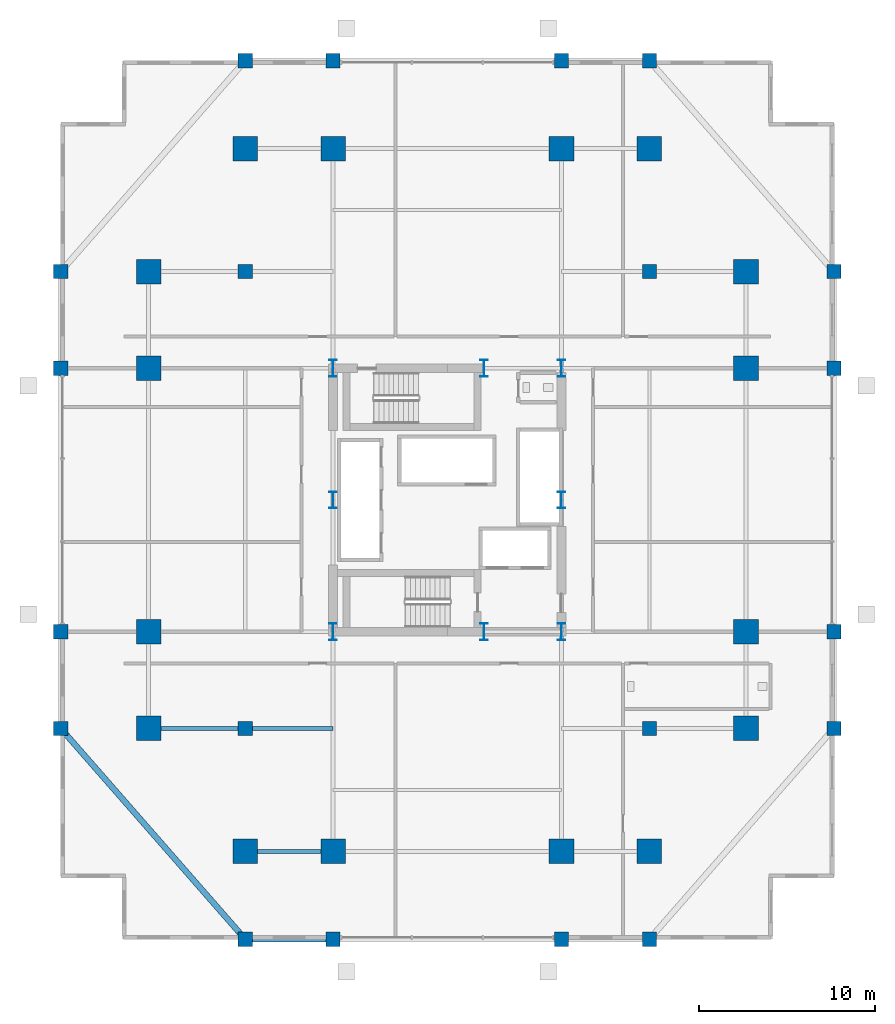
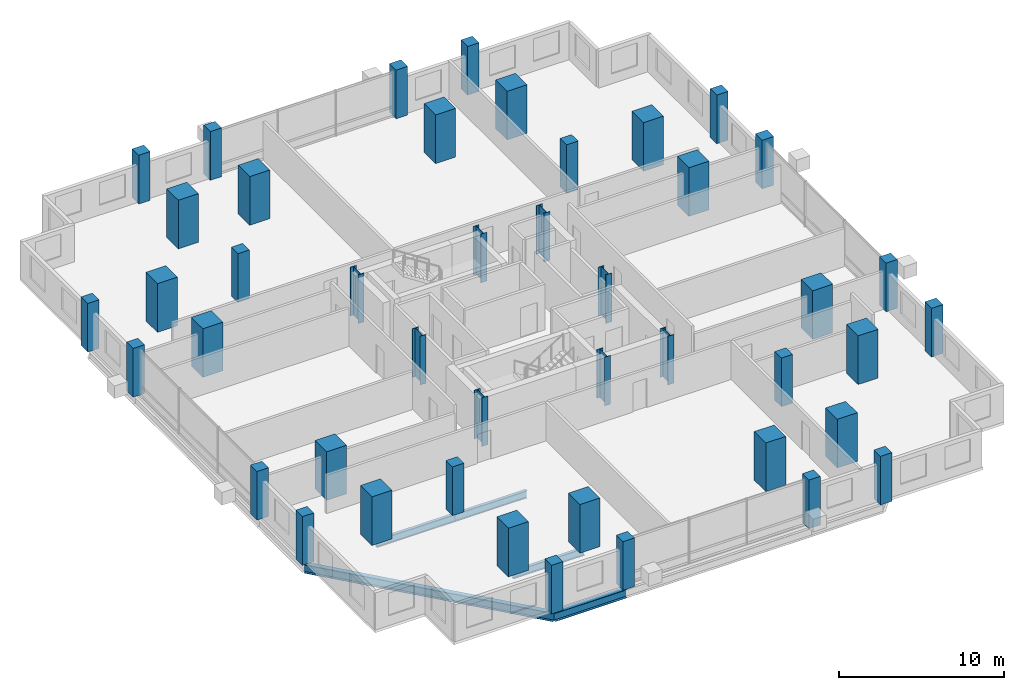
# One storey, part 1 of 21: 44 columns, 5 beams.
"""IFC4 building model written with IfcOpenShell, lengths in metres."""

from ifc_helpers import new_model, si_unit, direction, frame, origin, origin_2d, place, context, subcontext, project, spatial, rectangle, i_section, extrude, material, material_profile, profile_set, type_object, element, save


model = new_model("IFC4")

# Units and contexts
model_context = context("Model", 3, precision=1e-05, world=origin(), true_north=direction((0.0, 1.0)))
body_context = subcontext(model_context, "Body", "Model", "MODEL_VIEW")
ifc_project = project(units=[si_unit("LENGTHUNIT", "METRE"), si_unit("AREAUNIT", "SQUARE_METRE"), si_unit("VOLUMEUNIT", "CUBIC_METRE"), si_unit("PLANEANGLEUNIT", "RADIAN"), si_unit("MASSUNIT", "GRAM", prefix="KILO")], contexts=[model_context])

# Site, building, storey
site_placement = place(None, origin())
site = spatial("IfcSite", under=ifc_project, at=site_placement, CompositionType="ELEMENT")
building_placement = place(site_placement, origin())
building = spatial("IfcBuilding", under=site, at=building_placement, Name="Barlavira Tower and Art Museum", CompositionType="ELEMENT")
storey_placement = place(building_placement, frame((0.0, 0.0, 86.39990234375)))
storey = spatial("IfcBuildingStorey", under=building, at=storey_placement, Name="L21", CompositionType="ELEMENT", Elevation=86.39990234375)

# Columns
ifc_material_1 = material(Name="Steel S355", Category="steel")
ifc_material_profile_1 = material_profile(ifc_material_1, i_section(OverallWidth=0.419921875, OverallDepth=0.9599609375, WebThickness=0.02197265625, FlangeThickness=0.033935546875, at=origin_2d()), Name="W920x387.0")
ifc_profile_set_1 = profile_set([ifc_material_profile_1], Name="Steel S355")
column_type_1 = type_object("IfcColumnType", Name="Core Composite Column W920x387 Steel S355", PredefinedType="COLUMN", material=ifc_profile_set_1)
for number, where, z_axis, x_axis, name in (
    (1, (-6.5, -7.5, 0.0), (0.0, 0.0, 1.0), (1.0, 0.0, 0.0), "L21 Column CC-L21-C1"),
    (2, (2.080078125, -7.5, 0.0), (0.0, 0.0, 1.0), (1.0, 0.0, 0.0), "L21 Column CC-L21-C2"),
    (3, (6.5, -7.5, 0.0), (0.0, 0.0, 1.0), (1.0, 0.0, 0.0), "L21 Column CC-L21-C3"),
    (4, (-6.5, 0.0, 0.0), (0.0, 0.0, 1.0), (1.0, 0.0, 0.0), "L21 Column CC-L21-C4"),
    (5, (6.5, 0.0, 0.0), (0.0, 0.0, 1.0), (1.0, 0.0, 0.0), "L21 Column CC-L21-C5"),
    (6, (-6.5, 7.5, 0.0), (0.0, 0.0, 1.0), (1.0, 0.0, 0.0), "L21 Column CC-L21-C6"),
    (7, (2.080078125, 7.5, 0.0), (0.0, 0.0, 1.0), (1.0, 0.0, 0.0), "L21 Column CC-L21-C7"),
    (8, (6.5, 7.5, 0.0), (0.0, 0.0, 1.0), (1.0, 0.0, 0.0), "L21 Column CC-L21-C8"),
):
    element("IfcColumn", number, at=place(storey_placement, frame(where, z_axis=z_axis, x_axis=x_axis)), inside=storey, type_object=column_type_1, Name=name, PredefinedType="COLUMN", context=body_context, shape_type="SweptSolid", body=[
        extrude(i_section(OverallWidth=0.419921875, OverallDepth=0.9599609375, WebThickness=0.02197265625, FlangeThickness=0.033935546875, at=origin_2d()), origin(), (0.0, 0.0, 1.0), 3.60009765625),
    ])
ifc_material_2 = material(Name="Concrete C60", Category="concrete")
ifc_material_profile_2 = material_profile(ifc_material_2, rectangle(XDim=1.39990234375, YDim=1.39990234375, at=origin_2d()), Name="RC-MCOL 1400x1400")
ifc_profile_set_2 = profile_set([ifc_material_profile_2], Name="Concrete C60")
column_type_2 = type_object("IfcColumnType", Name="Perimeter Mega Column 1400x1400 Concrete C60", PredefinedType="USERDEFINED", material=ifc_profile_set_2)
for number, where, z_axis, x_axis, name in (
    (9, (-11.5, -20.0, 0.0), (0.0, 0.0, 1.0), (1.0, 0.0, 0.0), "L21 Column MC-L21-M01"),
    (10, (-6.5, -20.0, 0.0), (0.0, 0.0, 1.0), (1.0, 0.0, 0.0), "L21 Column MC-L21-M02"),
    (11, (6.5, -20.0, 0.0), (0.0, 0.0, 1.0), (1.0, 0.0, 0.0), "L21 Column MC-L21-M03"),
    (12, (11.5, -20.0, 0.0), (0.0, 0.0, 1.0), (1.0, 0.0, 0.0), "L21 Column MC-L21-M04"),
    (13, (17.0, -13.0, 0.0), (0.0, 0.0, 1.0), (1.0, 0.0, 0.0), "L21 Column MC-L21-M05"),
    (14, (17.0, -7.5, 0.0), (0.0, 0.0, 1.0), (1.0, 0.0, 0.0), "L21 Column MC-L21-M06"),
    (15, (17.0, 7.5, 0.0), (0.0, 0.0, 1.0), (1.0, 0.0, 0.0), "L21 Column MC-L21-M07"),
    (16, (17.0, 13.0, 0.0), (0.0, 0.0, 1.0), (1.0, 0.0, 0.0), "L21 Column MC-L21-M08"),
    (17, (11.5, 20.0, 0.0), (0.0, 0.0, 1.0), (1.0, 0.0, 0.0), "L21 Column MC-L21-M09"),
    (18, (6.5, 20.0, 0.0), (0.0, 0.0, 1.0), (1.0, 0.0, 0.0), "L21 Column MC-L21-M10"),
    (19, (-6.5, 20.0, 0.0), (0.0, 0.0, 1.0), (1.0, 0.0, 0.0), "L21 Column MC-L21-M11"),
    (20, (-11.5, 20.0, 0.0), (0.0, 0.0, 1.0), (1.0, 0.0, 0.0), "L21 Column MC-L21-M12"),
    (21, (-17.0, 13.0, 0.0), (0.0, 0.0, 1.0), (1.0, 0.0, 0.0), "L21 Column MC-L21-M13"),
    (22, (-17.0, 7.5, 0.0), (0.0, 0.0, 1.0), (1.0, 0.0, 0.0), "L21 Column MC-L21-M14"),
    (23, (-17.0, -7.5, 0.0), (0.0, 0.0, 1.0), (1.0, 0.0, 0.0), "L21 Column MC-L21-M15"),
    (24, (-17.0, -13.0, 0.0), (0.0, 0.0, 1.0), (1.0, 0.0, 0.0), "L21 Column MC-L21-M16"),
):
    element("IfcColumn", number, at=place(storey_placement, frame(where, z_axis=z_axis, x_axis=x_axis)), inside=storey, type_object=column_type_2, Name=name, ObjectType="MEGA COLUMN", PredefinedType="USERDEFINED", context=body_context, shape_type="SweptSolid", body=[
        extrude(rectangle(XDim=1.39990234375, YDim=1.39990234375, at=origin_2d()), origin(), (0.0, 0.0, 1.0), 3.60009765625),
    ])
ifc_material_3 = material(Name="Concrete C50", Category="concrete")
ifc_material_profile_3 = material_profile(ifc_material_3, rectangle(XDim=0.800048828125, YDim=0.800048828125, at=origin_2d()), Name="RC-COL 800x800")
ifc_profile_set_3 = profile_set([ifc_material_profile_3], Name="Concrete C50")
column_type_3 = type_object("IfcColumnType", Name="Podium Frame Column 800x800 Concrete C50", PredefinedType="COLUMN", material=ifc_profile_set_3)
for number, where, z_axis, x_axis, name in (
    (25, (-11.5, -13.0, 0.0), (0.0, 0.0, 1.0), (1.0, 0.0, 0.0), "L21 Column CI-L21-I1"),
    (26, (11.5, -13.0, 0.0), (0.0, 0.0, 1.0), (1.0, 0.0, 0.0), "L21 Column CI-L21-I2"),
    (27, (-11.5, 13.0, 0.0), (0.0, 0.0, 1.0), (1.0, 0.0, 0.0), "L21 Column CI-L21-I3"),
    (28, (11.5, 13.0, 0.0), (0.0, 0.0, 1.0), (1.0, 0.0, 0.0), "L21 Column CI-L21-I4"),
    (29, (-11.5, -25.0, 0.0), (0.0, 0.0, 1.0), (1.0, 0.0, 0.0), "L21 Column CZ1-L21-N01"),
    (30, (-6.5, -25.0, 0.0), (0.0, 0.0, 1.0), (1.0, 0.0, 0.0), "L21 Column CZ1-L21-N02"),
    (31, (6.5, -25.0, 0.0), (0.0, 0.0, 1.0), (1.0, 0.0, 0.0), "L21 Column CZ1-L21-N02B"),
    (32, (11.5, -25.0, 0.0), (0.0, 0.0, 1.0), (1.0, 0.0, 0.0), "L21 Column CZ1-L21-N03"),
    (33, (-22.0, -13.0, 0.0), (0.0, 0.0, 1.0), (1.0, 0.0, 0.0), "L21 Column CZ1-L21-N04"),
    (34, (-22.0, -7.5, 0.0), (0.0, 0.0, 1.0), (1.0, 0.0, 0.0), "L21 Column CZ1-L21-N05"),
    (35, (-22.0, 7.5, 0.0), (0.0, 0.0, 1.0), (1.0, 0.0, 0.0), "L21 Column CZ1-L21-N05B"),
    (36, (-22.0, 13.0, 0.0), (0.0, 0.0, 1.0), (1.0, 0.0, 0.0), "L21 Column CZ1-L21-N06"),
    (37, (-11.5, 25.0, 0.0), (0.0, 0.0, 1.0), (1.0, 0.0, 0.0), "L21 Column CZ1-L21-N07"),
    (38, (-6.5, 25.0, 0.0), (0.0, 0.0, 1.0), (1.0, 0.0, 0.0), "L21 Column CZ1-L21-N08"),
    (39, (6.5, 25.0, 0.0), (0.0, 0.0, 1.0), (1.0, 0.0, 0.0), "L21 Column CZ1-L21-N08B"),
    (40, (11.5, 25.0, 0.0), (0.0, 0.0, 1.0), (1.0, 0.0, 0.0), "L21 Column CZ1-L21-N09"),
    (41, (22.0, -13.0, 0.0), (0.0, 0.0, 1.0), (1.0, 0.0, 0.0), "L21 Column CZ1-L21-N10"),
    (42, (22.0, -7.5, 0.0), (0.0, 0.0, 1.0), (1.0, 0.0, 0.0), "L21 Column CZ1-L21-N11"),
    (43, (22.0, 7.5, 0.0), (0.0, 0.0, 1.0), (1.0, 0.0, 0.0), "L21 Column CZ1-L21-N11B"),
    (44, (22.0, 13.0, 0.0), (0.0, 0.0, 1.0), (1.0, 0.0, 0.0), "L21 Column CZ1-L21-N12"),
):
    element("IfcColumn", number, at=place(storey_placement, frame(where, z_axis=z_axis, x_axis=x_axis)), inside=storey, type_object=column_type_3, Name=name, PredefinedType="COLUMN", context=body_context, shape_type="SweptSolid", body=[
        extrude(rectangle(XDim=0.800048828125, YDim=0.800048828125, at=origin_2d()), origin(), (0.0, 0.0, 1.0), 3.60009765625),
    ])

# Beams
ifc_material_profile_4 = material_profile(ifc_material_1, i_section(OverallWidth=0.327880859375, OverallDepth=0.62890625, WebThickness=0.013916015625, FlangeThickness=0.021484375, at=origin_2d()), Name="W610x174.0")
ifc_profile_set_4 = profile_set([ifc_material_profile_4], Name="Steel S355")
beam_type_1 = type_object("IfcBeamType", Name="Perimeter Spandrel Edge Beam W610x174 Steel S355", PredefinedType="SPANDREL", material=ifc_profile_set_4)
beam_1_placement = place(storey_placement, frame((-11.5, -25.0, -0.534423828125), z_axis=(1.0, 0.0, 0.0), x_axis=(0.0, 1.0, 0.0)))
element("IfcBeam", 45, at=beam_1_placement, inside=storey, type_object=beam_type_1, Name="L21 Spandrel 1", PredefinedType="SPANDREL", context=body_context, shape_type="SweptSolid", body=[
    extrude(i_section(OverallWidth=0.327880859375, OverallDepth=0.62890625, WebThickness=0.013916015625, FlangeThickness=0.021484375, at=origin_2d()), origin(), (0.0, 0.0, 1.0), 5.0),
])
beam_2_placement = place(storey_placement, frame((-22.0, -13.0, -0.534423828125), z_axis=(0.658504607869, -0.752576694707, 0.0), x_axis=(0.752576694707, 0.658504607869, 0.0)))
element("IfcBeam", 46, at=beam_2_placement, inside=storey, type_object=beam_type_1, Name="L21 Spandrel 16", PredefinedType="SPANDREL", context=body_context, shape_type="SweptSolid", body=[
    extrude(i_section(OverallWidth=0.327880859375, OverallDepth=0.62890625, WebThickness=0.013916015625, FlangeThickness=0.021484375, at=origin_2d()), origin(), (0.0, 0.0, 1.0), 15.9453125),
])
ifc_material_profile_5 = material_profile(ifc_material_1, i_section(OverallWidth=0.214111328125, OverallDepth=0.549072265625, WebThickness=0.0146484375, FlangeThickness=0.023681640625, at=origin_2d()), Name="W530x138.0")
ifc_profile_set_5 = profile_set([ifc_material_profile_5], Name="Steel S355")
beam_type_2 = type_object("IfcBeamType", Name="Zone 1 Primary Floor Girder W530x138 Steel S355", PredefinedType="BEAM", material=ifc_profile_set_5)
beam_3_placement = place(storey_placement, frame((-11.5, -20.0, -0.494384765625), z_axis=(1.0, 0.0, 0.0), x_axis=(0.0, 1.0, 0.0)))
element("IfcBeam", 47, at=beam_3_placement, inside=storey, type_object=beam_type_2, Name="L21 Girder M-S1", PredefinedType="BEAM", context=body_context, shape_type="SweptSolid", body=[
    extrude(i_section(OverallWidth=0.214111328125, OverallDepth=0.549072265625, WebThickness=0.0146484375, FlangeThickness=0.023681640625, at=origin_2d()), origin(), (0.0, 0.0, 1.0), 5.0),
])
beam_4_placement = place(storey_placement, frame((-17.0, -13.0, -0.494384765625), z_axis=(1.0, 0.0, 0.0), x_axis=(0.0, 1.0, 0.0)))
element("IfcBeam", 48, at=beam_4_placement, inside=storey, type_object=beam_type_2, Name="L21 Girder I-S1", PredefinedType="BEAM", context=body_context, shape_type="SweptSolid", body=[
    extrude(i_section(OverallWidth=0.214111328125, OverallDepth=0.549072265625, WebThickness=0.0146484375, FlangeThickness=0.023681640625, at=origin_2d()), origin(), (0.0, 0.0, 1.0), 5.5),
])
beam_5_placement = place(storey_placement, frame((-11.5, -13.0, -0.494384765625), z_axis=(1.0, 0.0, 0.0), x_axis=(0.0, 1.0, 0.0)))
element("IfcBeam", 49, at=beam_5_placement, inside=storey, type_object=beam_type_2, Name="L21 Girder I-S2", PredefinedType="BEAM", context=body_context, shape_type="SweptSolid", body=[
    extrude(i_section(OverallWidth=0.214111328125, OverallDepth=0.549072265625, WebThickness=0.0146484375, FlangeThickness=0.023681640625, at=origin_2d()), origin(), (0.0, 0.0, 1.0), 5.0),
])

save(model, "model.ifc")
